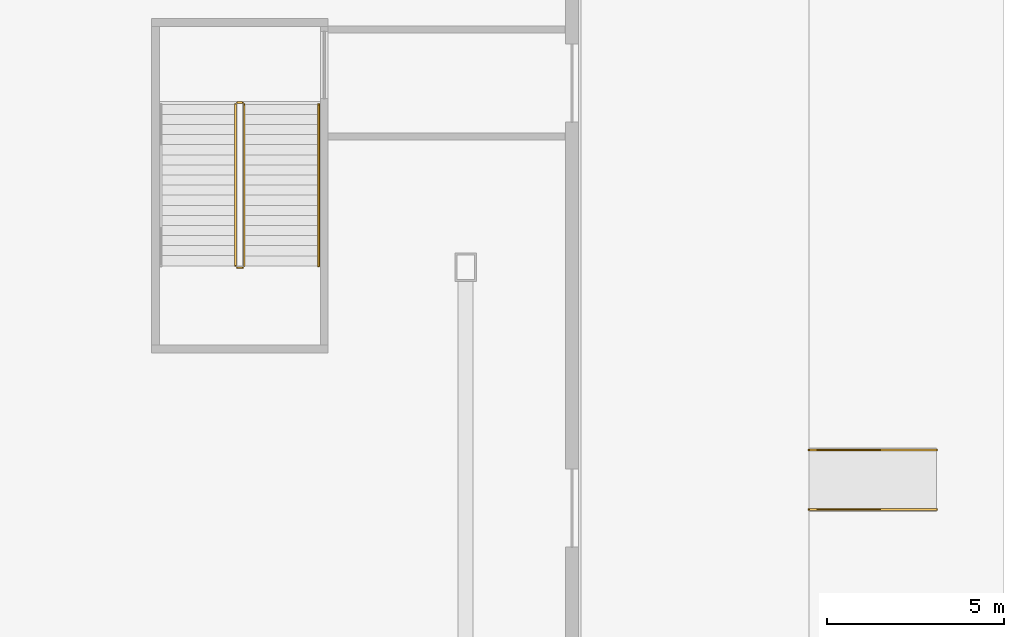
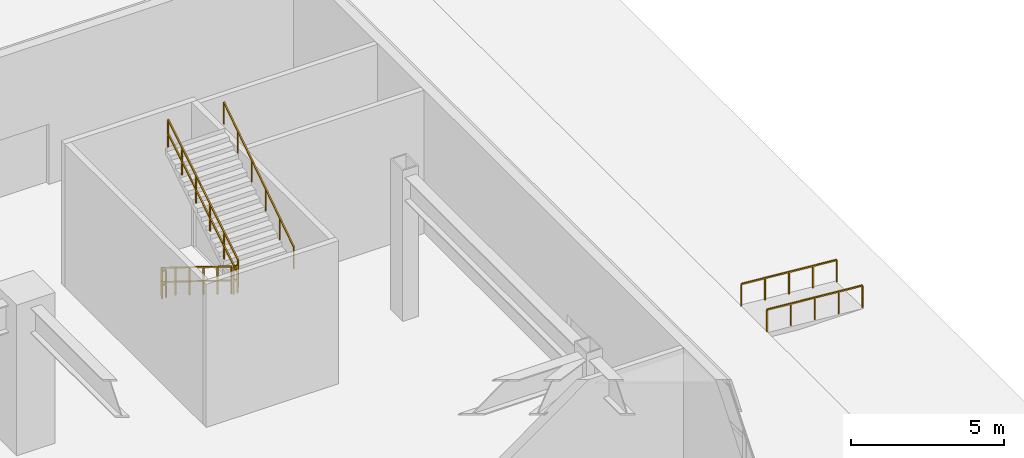
# One storey, part 22 of 24: 7 railings.
"""IFC4 building model written with IfcOpenShell, lengths in metres."""

from ifc_helpers import new_model, si_unit, direction, frame, origin, origin_2d, place, context, subcontext, project, spatial, rectangle, extrude, material, type_object, element, save


model = new_model("IFC4")

# Units and contexts
model_context = context("Model", 3, precision=1e-05, world=origin(), true_north=direction((0.0, 1.0)))
body_context = subcontext(model_context, "Body", "Model", "MODEL_VIEW")
ifc_project = project(units=[si_unit("LENGTHUNIT", "METRE"), si_unit("AREAUNIT", "SQUARE_METRE"), si_unit("VOLUMEUNIT", "CUBIC_METRE"), si_unit("PLANEANGLEUNIT", "RADIAN"), si_unit("MASSUNIT", "GRAM", prefix="KILO")], contexts=[model_context])

# Site, building, storey
site_placement = place(None, origin())
site = spatial("IfcSite", under=ifc_project, at=site_placement, CompositionType="ELEMENT")
building_placement = place(site_placement, origin())
building = spatial("IfcBuilding", under=site, at=building_placement, Name="Apsidion Concourse Tower", CompositionType="ELEMENT")
storey_placement = place(building_placement, origin())
storey = spatial("IfcBuildingStorey", under=building, at=storey_placement, Name="L00", CompositionType="ELEMENT", Elevation=0.0)

# Railings
ifc_material = material(Name="Brushed stainless steel 316", Category="steel")
railing_type_1 = type_object("IfcRailingType", Name="RL-GUARD-1100", PredefinedType="GUARDRAIL", material=ifc_material)
railing_1_placement = place(storey_placement, frame((31.800048828125, 22.60009765625, 0.176513671875)))
element("IfcRailing", 1, at=railing_1_placement, inside=storey, type_object=railing_type_1, Name="L00 ST-P4 stair guard 1", PredefinedType="GUARDRAIL", context=body_context, shape_type="SweptSolid", body=[
    extrude(rectangle(XDim=0.048095703125, YDim=0.048095703125, at=origin_2d()), frame((0.0, 0.0, 1.09619140625), z_axis=(0.0, -0.850215668316, 0.526434532824), x_axis=(1.0, 0.0, 0.0)), (0.0, 0.0, 1.0), 5.363525390625),
    extrude(rectangle(XDim=0.048095703125, YDim=0.048095703125, at=origin_2d()), frame((0.0, 0.0, 0.5361328125), z_axis=(0.0, -0.850215668316, 0.526434532824), x_axis=(1.0, 0.0, 0.0)), (0.0, 0.0, 1.0), 5.363525390625),
    extrude(rectangle(XDim=0.0419921875, YDim=0.0419921875, at=origin_2d()), origin(), (0.0, 0.0, 1.0), 1.072021484375),
    extrude(rectangle(XDim=0.0419921875, YDim=0.0419921875, at=origin_2d()), frame((0.0, -0.912109375, 0.564697265625)), (0.0, 0.0, 1.0), 1.072021484375),
    extrude(rectangle(XDim=0.0419921875, YDim=0.0419921875, at=origin_2d()), frame((0.0, -1.823974609375, 1.12939453125)), (0.0, 0.0, 1.0), 1.072021484375),
    extrude(rectangle(XDim=0.0419921875, YDim=0.0419921875, at=origin_2d()), frame((0.0, -2.736083984375, 1.694091796875)), (0.0, 0.0, 1.0), 1.072021484375),
    extrude(rectangle(XDim=0.0419921875, YDim=0.0419921875, at=origin_2d()), frame((0.0, -3.64794921875, 2.2587890625)), (0.0, 0.0, 1.0), 1.072021484375),
    extrude(rectangle(XDim=0.0419921875, YDim=0.0419921875, at=origin_2d()), frame((0.0, -4.56005859375, 2.823486328125)), (0.0, 0.0, 1.0), 1.072021484375),
])
railing_2_placement = place(storey_placement, frame((31.85009765625, 17.989990234375, 3.0)))
element("IfcRailing", 2, at=railing_2_placement, inside=storey, type_object=railing_type_1, Name="L00 ST-P4 stair guard 2", PredefinedType="GUARDRAIL", context=body_context, shape_type="SweptSolid", body=[
    extrude(rectangle(XDim=0.048095703125, YDim=0.048095703125, at=origin_2d()), frame((0.0, 0.0, 1.09619140625), z_axis=(1.0, 0.0, 0.0), x_axis=(0.0, 1.0, 0.0)), (0.0, 0.0, 1.0), 0.14990234375),
    extrude(rectangle(XDim=0.048095703125, YDim=0.048095703125, at=origin_2d()), frame((0.0, 0.0, 0.5361328125), z_axis=(1.0, 0.0, 0.0), x_axis=(0.0, 1.0, 0.0)), (0.0, 0.0, 1.0), 0.14990234375),
    extrude(rectangle(XDim=0.0419921875, YDim=0.0419921875, at=origin_2d()), origin(), (0.0, 0.0, 1.0), 1.072021484375),
    extrude(rectangle(XDim=0.0419921875, YDim=0.0419921875, at=origin_2d()), frame((0.14990234375, 0.0, 0.0)), (0.0, 0.0, 1.0), 1.072021484375),
])
railing_3_placement = place(storey_placement, frame((32.050048828125, 18.0400390625, 3.176513671875)))
element("IfcRailing", 3, at=railing_3_placement, inside=storey, type_object=railing_type_1, Name="L00 ST-P4 stair guard 3", PredefinedType="GUARDRAIL", context=body_context, shape_type="SweptSolid", body=[
    extrude(rectangle(XDim=0.048095703125, YDim=0.048095703125, at=origin_2d()), frame((0.0, 0.0, 1.09619140625), z_axis=(0.0, 0.850215668316, 0.526434532824), x_axis=(-1.0, 0.0, 0.0)), (0.0, 0.0, 1.0), 5.363525390625),
    extrude(rectangle(XDim=0.048095703125, YDim=0.048095703125, at=origin_2d()), frame((0.0, 0.0, 0.5361328125), z_axis=(0.0, 0.850215668316, 0.526434532824), x_axis=(-1.0, 0.0, 0.0)), (0.0, 0.0, 1.0), 5.363525390625),
    extrude(rectangle(XDim=0.0419921875, YDim=0.0419921875, at=origin_2d()), origin(), (0.0, 0.0, 1.0), 1.072021484375),
    extrude(rectangle(XDim=0.0419921875, YDim=0.0419921875, at=origin_2d()), frame((0.0, 0.912109375, 0.564697265625)), (0.0, 0.0, 1.0), 1.072021484375),
    extrude(rectangle(XDim=0.0419921875, YDim=0.0419921875, at=origin_2d()), frame((0.0, 1.823974609375, 1.12939453125)), (0.0, 0.0, 1.0), 1.072021484375),
    extrude(rectangle(XDim=0.0419921875, YDim=0.0419921875, at=origin_2d()), frame((0.0, 2.736083984375, 1.694091796875)), (0.0, 0.0, 1.0), 1.072021484375),
    extrude(rectangle(XDim=0.0419921875, YDim=0.0419921875, at=origin_2d()), frame((0.0, 3.64794921875, 2.2587890625)), (0.0, 0.0, 1.0), 1.072021484375),
    extrude(rectangle(XDim=0.0419921875, YDim=0.0419921875, at=origin_2d()), frame((0.0, 4.56005859375, 2.823486328125)), (0.0, 0.0, 1.0), 1.072021484375),
])
railing_4_placement = place(storey_placement, frame((31.85009765625, 22.64990234375, 0.0)))
element("IfcRailing", 4, at=railing_4_placement, inside=storey, type_object=railing_type_1, Name="L00 ST-P4 stair guard 4", PredefinedType="GUARDRAIL", context=body_context, shape_type="SweptSolid", body=[
    extrude(rectangle(XDim=0.048095703125, YDim=0.048095703125, at=origin_2d()), frame((0.0, 0.0, 1.09619140625), z_axis=(1.0, 0.0, 0.0), x_axis=(0.0, 1.0, 0.0)), (0.0, 0.0, 1.0), 0.14990234375),
    extrude(rectangle(XDim=0.048095703125, YDim=0.048095703125, at=origin_2d()), frame((0.0, 0.0, 0.5361328125), z_axis=(1.0, 0.0, 0.0), x_axis=(0.0, 1.0, 0.0)), (0.0, 0.0, 1.0), 0.14990234375),
    extrude(rectangle(XDim=0.0419921875, YDim=0.0419921875, at=origin_2d()), origin(), (0.0, 0.0, 1.0), 1.072021484375),
    extrude(rectangle(XDim=0.0419921875, YDim=0.0419921875, at=origin_2d()), frame((0.14990234375, 0.0, 0.0)), (0.0, 0.0, 1.0), 1.072021484375),
])
railing_type_2 = type_object("IfcRailingType", Name="RL-HAND-900", PredefinedType="HANDRAIL", material=ifc_material)
railing_5_placement = place(storey_placement, frame((34.14990234375, 18.0400390625, 3.176513671875)))
element("IfcRailing", 5, at=railing_5_placement, inside=storey, type_object=railing_type_2, Name="L00 ST-P4 stair handrail 2", PredefinedType="HANDRAIL", context=body_context, shape_type="SweptSolid", body=[
    extrude(rectangle(XDim=0.048095703125, YDim=0.048095703125, at=origin_2d()), frame((0.0, 0.0, 0.8759765625), z_axis=(0.0, 0.835420324919, 0.549611572578), x_axis=(-1.0, 0.0, 0.0)), (0.0, 0.0, 1.0), 5.45849609375),
    extrude(rectangle(XDim=0.0419921875, YDim=0.0419921875, at=origin_2d()), origin(), (0.0, 0.0, 1.0), 0.851806640625),
    extrude(rectangle(XDim=0.0419921875, YDim=0.0419921875, at=origin_2d()), frame((0.0, 0.912109375, 0.60009765625)), (0.0, 0.0, 1.0), 0.851806640625),
    extrude(rectangle(XDim=0.0419921875, YDim=0.0419921875, at=origin_2d()), frame((0.0, 1.823974609375, 1.199951171875)), (0.0, 0.0, 1.0), 0.851806640625),
    extrude(rectangle(XDim=0.0419921875, YDim=0.0419921875, at=origin_2d()), frame((0.0, 2.736083984375, 1.800048828125)), (0.0, 0.0, 1.0), 0.851806640625),
    extrude(rectangle(XDim=0.0419921875, YDim=0.0419921875, at=origin_2d()), frame((0.0, 3.64794921875, 2.39990234375)), (0.0, 0.0, 1.0), 0.851806640625),
    extrude(rectangle(XDim=0.0419921875, YDim=0.0419921875, at=origin_2d()), frame((0.0, 4.56005859375, 3.0)), (0.0, 0.0, 1.0), 0.851806640625),
])
for number, where, name in (
    (6, (51.60009765625, 12.840087890625, -0.300048828125), "Pedestrian East-North Concourse Accessible Ramp Handrail 1"),
    (7, (51.60009765625, 11.159912109375, -0.300048828125), "Pedestrian East-North Concourse Accessible Ramp Handrail 2"),
):
    element("IfcRailing", number, at=place(storey_placement, frame(where)), inside=storey, type_object=railing_type_2, Name=name, PredefinedType="HANDRAIL", context=body_context, shape_type="SweptSolid", body=[
        extrude(rectangle(XDim=0.048095703125, YDim=0.048095703125, at=origin_2d()), frame((0.0, 0.0, 0.8759765625), z_axis=(-0.996544826035, 0.0, 0.083056665618), x_axis=(0.0, -1.0, 0.0)), (0.0, 0.0, 1.0), 3.612548828125),
        extrude(rectangle(XDim=0.0419921875, YDim=0.0419921875, at=origin_2d()), origin(), (0.0, 0.0, 1.0), 0.851806640625),
        extrude(rectangle(XDim=0.0419921875, YDim=0.0419921875, at=origin_2d()), frame((-0.89990234375, 0.0, 0.074951171875)), (0.0, 0.0, 1.0), 0.851806640625),
        extrude(rectangle(XDim=0.0419921875, YDim=0.0419921875, at=origin_2d()), frame((-1.800048828125, 0.0, 0.14990234375)), (0.0, 0.0, 1.0), 0.851806640625),
        extrude(rectangle(XDim=0.0419921875, YDim=0.0419921875, at=origin_2d()), frame((-2.7001953125, 0.0, 0.22509765625)), (0.0, 0.0, 1.0), 0.851806640625),
        extrude(rectangle(XDim=0.0419921875, YDim=0.0419921875, at=origin_2d()), frame((-3.60009765625, 0.0, 0.300048828125)), (0.0, 0.0, 1.0), 0.851806640625),
    ])

save(model, "model.ifc")
